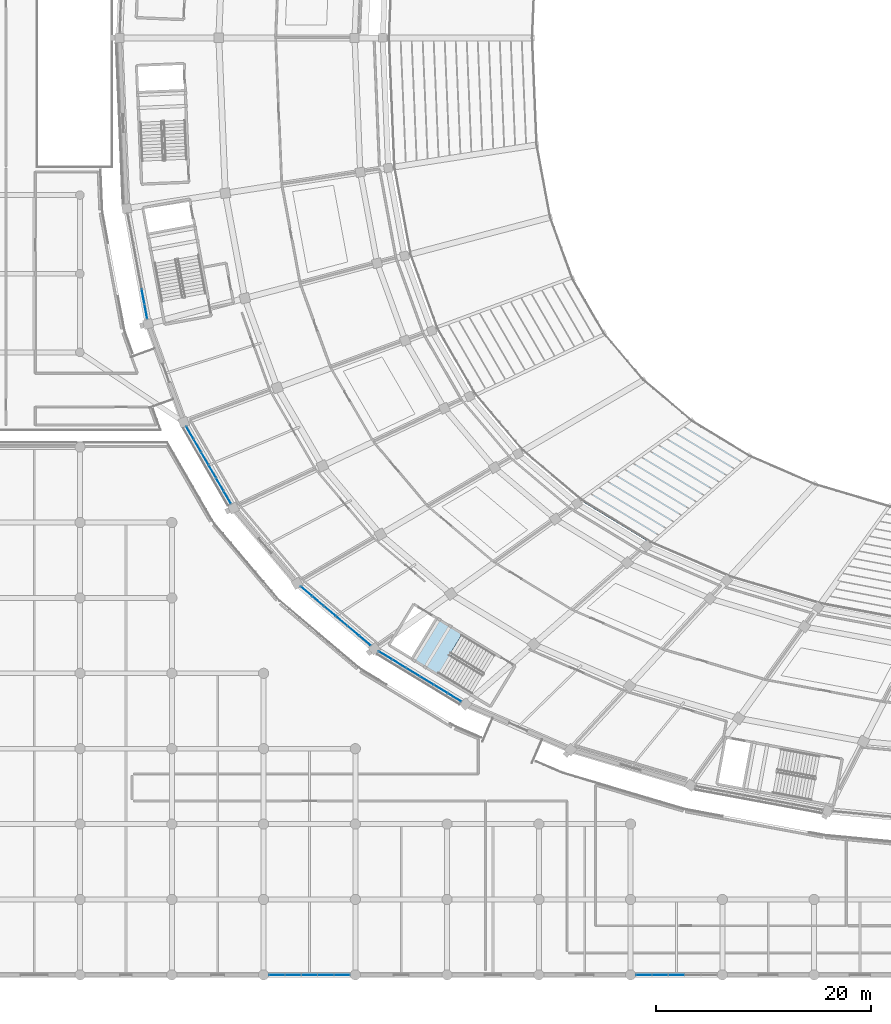
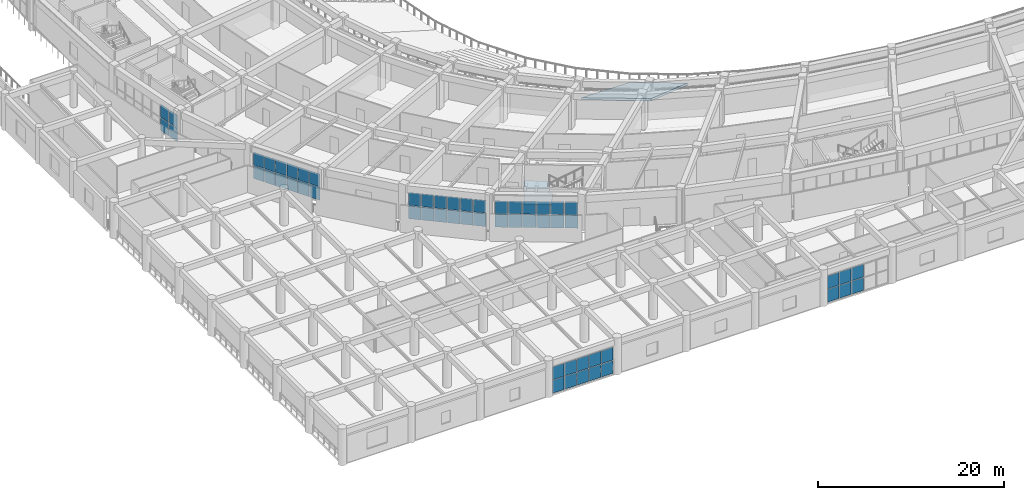
# One storey, part 77 of 152: 56 plates, 2 slabs, 7 elements without a shape of their own.
"""IFC4 building model written with IfcOpenShell, lengths in metres."""

from ifc_helpers import new_model, si_unit, direction, frame, origin, origin_2d, place, context, subcontext, project, spatial, polyline, rectangle, outline, extrude, material, layer, layer_set, type_object, element, aggregate, save


model = new_model("IFC4")

# Units and contexts
model_context = context("Model", 3, precision=1e-05, world=origin(), true_north=direction((0.0, 1.0)))
body_context = subcontext(model_context, "Body", "Model", "MODEL_VIEW")
ifc_project = project(units=[si_unit("LENGTHUNIT", "METRE"), si_unit("AREAUNIT", "SQUARE_METRE"), si_unit("VOLUMEUNIT", "CUBIC_METRE"), si_unit("PLANEANGLEUNIT", "RADIAN"), si_unit("MASSUNIT", "GRAM", prefix="KILO")], contexts=[model_context])

# Site, building, storey
site_placement = place(None, origin())
site = spatial("IfcSite", under=ifc_project, at=site_placement, CompositionType="ELEMENT")
building_placement = place(site_placement, origin())
building = spatial("IfcBuilding", under=site, at=building_placement, Name="Mphavela Belvedere Stadium", CompositionType="ELEMENT")
storey_placement = place(building_placement, frame((0.0, 0.0, 5.39990234375)))
storey = spatial("IfcBuildingStorey", under=building, at=storey_placement, Name="L01", CompositionType="ELEMENT", Elevation=5.39990234375)

# Curtain wall, plates
ifc_material_1 = material(Name="Anodised bronze unitised curtain wall framing")
ifc_layer_1 = layer(ifc_material_1, 0.195068359375)
ifc_layer_set_1 = layer_set([ifc_layer_1], Name="Anodised bronze unitised curtain wall framing")
curtain_wall_type_1 = type_object("IfcCurtainWallType", Name="CW-UNIT-04", PredefinedType="USERDEFINED", material=ifc_layer_set_1)
curtain_wall_1_placement = place(storey_placement, origin())
curtain_wall_1 = element("IfcCurtainWall", 1, at=curtain_wall_1_placement, inside=storey, type_object=curtain_wall_type_1, Name="Belvedere colonnade curtain wall L01-26", ObjectType="UNITISED CURTAIN WALL", PredefinedType="USERDEFINED")
ifc_material_2 = material(Name="Solar-control double glazing", Category="glass")
ifc_layer_2 = layer(ifc_material_2, 0.031982421875)
ifc_layer_set_2 = layer_set([ifc_layer_2], Name="Solar-control double glazing")
plate_type = type_object("IfcPlateType", Name="CWP-SOLAR-GLASS", PredefinedType="CURTAIN_PANEL", material=ifc_layer_set_2)
plate_1_placement = place(storey_placement, frame((14.36474609375, 62.9716796875, 0.06005859375), z_axis=(0.0, 0.0, 1.0), x_axis=(0.182619524814, -0.983183659932, 0.0)))
plate_1 = element("IfcPlate", 2, at=plate_1_placement, type_object=plate_type, Name="CW-04 panel 6.1", PredefinedType="CURTAIN_PANEL", context=body_context, shape_type="SweptSolid", body=[
    extrude(rectangle(XDim=1.371337890625, YDim=0.031982421875, at=origin_2d()), origin(), (0.0, 0.0, 1.0), 1.695068359375),
])
plate_2_placement = place(storey_placement, frame((14.36474609375, 62.9716796875, 1.81494140625), z_axis=(0.0, 0.0, 1.0), x_axis=(0.182619524814, -0.983183659932, 0.0)))
plate_2 = element("IfcPlate", 3, at=plate_2_placement, type_object=plate_type, Name="CW-04 panel 6.2", PredefinedType="CURTAIN_PANEL", context=body_context, shape_type="SweptSolid", body=[
    extrude(rectangle(XDim=1.371337890625, YDim=0.031982421875, at=origin_2d()), origin(), (0.0, 0.0, 1.0), 1.695068359375),
])
plate_3_placement = place(storey_placement, frame((14.6240234375, 61.575439453125, 0.06005859375), z_axis=(0.0, 0.0, 1.0), x_axis=(0.182619524814, -0.983183659932, 0.0)))
plate_3 = element("IfcPlate", 4, at=plate_3_placement, type_object=plate_type, Name="CW-04 panel 7.1", PredefinedType="CURTAIN_PANEL", context=body_context, shape_type="SweptSolid", body=[
    extrude(rectangle(XDim=1.3388671875, YDim=0.031982421875, at=origin_2d()), origin(), (0.0, 0.0, 1.0), 1.695068359375),
])
plate_4_placement = place(storey_placement, frame((14.6240234375, 61.575439453125, 1.81494140625), z_axis=(0.0, 0.0, 1.0), x_axis=(0.182619524814, -0.983183659932, 0.0)))
plate_4 = element("IfcPlate", 5, at=plate_4_placement, type_object=plate_type, Name="CW-04 panel 7.2", PredefinedType="CURTAIN_PANEL", context=body_context, shape_type="SweptSolid", body=[
    extrude(rectangle(XDim=1.3388671875, YDim=0.031982421875, at=origin_2d()), origin(), (0.0, 0.0, 1.0), 1.695068359375),
])
aggregate(curtain_wall_1, [plate_1, plate_2, plate_3, plate_4])

ifc_material_3 = material(Name="Anodised bronze unitised curtain wall framing")
ifc_layer_3 = layer(ifc_material_3, 0.199951171875)
ifc_layer_set_3 = layer_set([ifc_layer_3], Name="Anodised bronze unitised curtain wall framing")
curtain_wall_type_2 = type_object("IfcCurtainWallType", Name="CW-UNIT-05", PredefinedType="USERDEFINED", material=ifc_layer_set_3)
curtain_wall_2_placement = place(storey_placement, origin())
curtain_wall_2 = element("IfcCurtainWall", 6, at=curtain_wall_2_placement, inside=storey, type_object=curtain_wall_type_2, Name="Belvedere colonnade curtain wall L01-28", ObjectType="UNITISED CURTAIN WALL", PredefinedType="USERDEFINED")
plate_5_placement = place(storey_placement, frame((18.712890625, 50.33349609375, 0.06005859375), z_axis=(0.0, 0.0, 1.0), x_axis=(0.500560586125, -0.865701507229, 0.0)))
plate_5 = element("IfcPlate", 7, at=plate_5_placement, type_object=plate_type, Name="CW-05 panel 1.1", PredefinedType="CURTAIN_PANEL", context=body_context, shape_type="SweptSolid", body=[
    extrude(rectangle(XDim=1.297607421875, YDim=0.031982421875, at=origin_2d()), origin(), (0.0, 0.0, 1.0), 1.695068359375),
])
plate_6_placement = place(storey_placement, frame((18.712890625, 50.33349609375, 1.81494140625), z_axis=(0.0, 0.0, 1.0), x_axis=(0.500560586125, -0.865701507229, 0.0)))
plate_6 = element("IfcPlate", 8, at=plate_6_placement, type_object=plate_type, Name="CW-05 panel 1.2", PredefinedType="CURTAIN_PANEL", context=body_context, shape_type="SweptSolid", body=[
    extrude(rectangle(XDim=1.297607421875, YDim=0.031982421875, at=origin_2d()), origin(), (0.0, 0.0, 1.0), 1.695068359375),
])
plate_7_placement = place(storey_placement, frame((19.403076171875, 49.139892578125, 0.06005859375), z_axis=(0.0, 0.0, 1.0), x_axis=(0.500560586125, -0.865701507229, 0.0)))
plate_7 = element("IfcPlate", 9, at=plate_7_placement, type_object=plate_type, Name="CW-05 panel 2.1", PredefinedType="CURTAIN_PANEL", context=body_context, shape_type="SweptSolid", body=[
    extrude(rectangle(XDim=1.330078125, YDim=0.031982421875, at=origin_2d()), origin(), (0.0, 0.0, 1.0), 1.695068359375),
])
plate_8_placement = place(storey_placement, frame((19.403076171875, 49.139892578125, 1.81494140625), z_axis=(0.0, 0.0, 1.0), x_axis=(0.500560586125, -0.865701507229, 0.0)))
plate_8 = element("IfcPlate", 10, at=plate_8_placement, type_object=plate_type, Name="CW-05 panel 2.2", PredefinedType="CURTAIN_PANEL", context=body_context, shape_type="SweptSolid", body=[
    extrude(rectangle(XDim=1.330078125, YDim=0.031982421875, at=origin_2d()), origin(), (0.0, 0.0, 1.0), 1.695068359375),
])
plate_9_placement = place(storey_placement, frame((20.1015625, 47.931884765625, 0.06005859375), z_axis=(0.0, 0.0, 1.0), x_axis=(0.500560586125, -0.865701507229, 0.0)))
plate_9 = element("IfcPlate", 11, at=plate_9_placement, type_object=plate_type, Name="CW-05 panel 3.1", PredefinedType="CURTAIN_PANEL", context=body_context, shape_type="SweptSolid", body=[
    extrude(rectangle(XDim=1.330078125, YDim=0.031982421875, at=origin_2d()), origin(), (0.0, 0.0, 1.0), 1.695068359375),
])
plate_10_placement = place(storey_placement, frame((20.1015625, 47.931884765625, 1.81494140625), z_axis=(0.0, 0.0, 1.0), x_axis=(0.500560586125, -0.865701507229, 0.0)))
plate_10 = element("IfcPlate", 12, at=plate_10_placement, type_object=plate_type, Name="CW-05 panel 3.2", PredefinedType="CURTAIN_PANEL", context=body_context, shape_type="SweptSolid", body=[
    extrude(rectangle(XDim=1.330078125, YDim=0.031982421875, at=origin_2d()), origin(), (0.0, 0.0, 1.0), 1.695068359375),
])
plate_11_placement = place(storey_placement, frame((20.7998046875, 46.72412109375, 0.06005859375), z_axis=(0.0, 0.0, 1.0), x_axis=(0.500560586125, -0.865701507229, 0.0)))
plate_11 = element("IfcPlate", 13, at=plate_11_placement, type_object=plate_type, Name="CW-05 panel 4.1", PredefinedType="CURTAIN_PANEL", context=body_context, shape_type="SweptSolid", body=[
    extrude(rectangle(XDim=1.330078125, YDim=0.031982421875, at=origin_2d()), origin(), (0.0, 0.0, 1.0), 1.695068359375),
])
plate_12_placement = place(storey_placement, frame((20.7998046875, 46.72412109375, 1.81494140625), z_axis=(0.0, 0.0, 1.0), x_axis=(0.500560586125, -0.865701507229, 0.0)))
plate_12 = element("IfcPlate", 14, at=plate_12_placement, type_object=plate_type, Name="CW-05 panel 4.2", PredefinedType="CURTAIN_PANEL", context=body_context, shape_type="SweptSolid", body=[
    extrude(rectangle(XDim=1.330078125, YDim=0.031982421875, at=origin_2d()), origin(), (0.0, 0.0, 1.0), 1.695068359375),
])
plate_13_placement = place(storey_placement, frame((21.498291015625, 45.516357421875, 0.06005859375), z_axis=(0.0, 0.0, 1.0), x_axis=(0.500560586125, -0.865701507229, 0.0)))
plate_13 = element("IfcPlate", 15, at=plate_13_placement, type_object=plate_type, Name="CW-05 panel 5.1", PredefinedType="CURTAIN_PANEL", context=body_context, shape_type="SweptSolid", body=[
    extrude(rectangle(XDim=1.330078125, YDim=0.031982421875, at=origin_2d()), origin(), (0.0, 0.0, 1.0), 1.695068359375),
])
plate_14_placement = place(storey_placement, frame((21.498291015625, 45.516357421875, 1.81494140625), z_axis=(0.0, 0.0, 1.0), x_axis=(0.500560586125, -0.865701507229, 0.0)))
plate_14 = element("IfcPlate", 16, at=plate_14_placement, type_object=plate_type, Name="CW-05 panel 5.2", PredefinedType="CURTAIN_PANEL", context=body_context, shape_type="SweptSolid", body=[
    extrude(rectangle(XDim=1.330078125, YDim=0.031982421875, at=origin_2d()), origin(), (0.0, 0.0, 1.0), 1.695068359375),
])
plate_15_placement = place(storey_placement, frame((22.1884765625, 44.32275390625, 0.06005859375), z_axis=(0.0, 0.0, 1.0), x_axis=(0.500560586125, -0.865701507229, 0.0)))
plate_15 = element("IfcPlate", 17, at=plate_15_placement, type_object=plate_type, Name="CW-05 panel 6.1", PredefinedType="CURTAIN_PANEL", context=body_context, shape_type="SweptSolid", body=[
    extrude(rectangle(XDim=1.297607421875, YDim=0.031982421875, at=origin_2d()), origin(), (0.0, 0.0, 1.0), 1.695068359375),
])
plate_16_placement = place(storey_placement, frame((22.1884765625, 44.32275390625, 1.81494140625), z_axis=(0.0, 0.0, 1.0), x_axis=(0.500560586125, -0.865701507229, 0.0)))
plate_16 = element("IfcPlate", 18, at=plate_16_placement, type_object=plate_type, Name="CW-05 panel 6.2", PredefinedType="CURTAIN_PANEL", context=body_context, shape_type="SweptSolid", body=[
    extrude(rectangle(XDim=1.297607421875, YDim=0.031982421875, at=origin_2d()), origin(), (0.0, 0.0, 1.0), 1.695068359375),
])
aggregate(curtain_wall_2, [plate_5, plate_6, plate_7, plate_8, plate_9, plate_10, plate_11, plate_12, plate_13, plate_14, plate_15, plate_16])

ifc_material_4 = material(Name="Anodised bronze unitised curtain wall framing")
ifc_layer_4 = layer(ifc_material_4, 0.205078125)
ifc_layer_set_4 = layer_set([ifc_layer_4], Name="Anodised bronze unitised curtain wall framing")
curtain_wall_type_3 = type_object("IfcCurtainWallType", Name="CW-UNIT-06", PredefinedType="USERDEFINED", material=ifc_layer_set_4)
curtain_wall_3_placement = place(storey_placement, origin())
curtain_wall_3 = element("IfcCurtainWall", 19, at=curtain_wall_3_placement, inside=storey, type_object=curtain_wall_type_3, Name="Belvedere colonnade curtain wall L01-30", ObjectType="UNITISED CURTAIN WALL", PredefinedType="USERDEFINED")
plate_17_placement = place(storey_placement, frame((29.5419921875, 35.603515625, 0.06005859375), z_axis=(0.0, 0.0, 1.0), x_axis=(0.76425888519, -0.644909572272, 0.0)))
plate_17 = element("IfcPlate", 20, at=plate_17_placement, type_object=plate_type, Name="CW-06 panel 1.1", PredefinedType="CURTAIN_PANEL", context=body_context, shape_type="SweptSolid", body=[
    extrude(rectangle(XDim=1.327880859375, YDim=0.031982421875, at=origin_2d()), origin(), (0.0, 0.0, 1.0), 1.695068359375),
])
plate_18_placement = place(storey_placement, frame((29.5419921875, 35.603515625, 1.81494140625), z_axis=(0.0, 0.0, 1.0), x_axis=(0.76425888519, -0.644909572272, 0.0)))
plate_18 = element("IfcPlate", 21, at=plate_18_placement, type_object=plate_type, Name="CW-06 panel 1.2", PredefinedType="CURTAIN_PANEL", context=body_context, shape_type="SweptSolid", body=[
    extrude(rectangle(XDim=1.327880859375, YDim=0.031982421875, at=origin_2d()), origin(), (0.0, 0.0, 1.0), 1.695068359375),
])
plate_19_placement = place(storey_placement, frame((30.619140625, 34.69482421875, 0.06005859375), z_axis=(0.0, 0.0, 1.0), x_axis=(0.76425888519, -0.644909572272, 0.0)))
plate_19 = element("IfcPlate", 22, at=plate_19_placement, type_object=plate_type, Name="CW-06 panel 2.1", PredefinedType="CURTAIN_PANEL", context=body_context, shape_type="SweptSolid", body=[
    extrude(rectangle(XDim=1.3603515625, YDim=0.031982421875, at=origin_2d()), origin(), (0.0, 0.0, 1.0), 1.695068359375),
])
plate_20_placement = place(storey_placement, frame((30.619140625, 34.69482421875, 1.81494140625), z_axis=(0.0, 0.0, 1.0), x_axis=(0.76425888519, -0.644909572272, 0.0)))
plate_20 = element("IfcPlate", 23, at=plate_20_placement, type_object=plate_type, Name="CW-06 panel 2.2", PredefinedType="CURTAIN_PANEL", context=body_context, shape_type="SweptSolid", body=[
    extrude(rectangle(XDim=1.3603515625, YDim=0.031982421875, at=origin_2d()), origin(), (0.0, 0.0, 1.0), 1.695068359375),
])
plate_21_placement = place(storey_placement, frame((31.70849609375, 33.775634765625, 0.06005859375), z_axis=(0.0, 0.0, 1.0), x_axis=(0.76425888519, -0.644909572272, 0.0)))
plate_21 = element("IfcPlate", 24, at=plate_21_placement, type_object=plate_type, Name="CW-06 panel 3.1", PredefinedType="CURTAIN_PANEL", context=body_context, shape_type="SweptSolid", body=[
    extrude(rectangle(XDim=1.3603515625, YDim=0.031982421875, at=origin_2d()), origin(), (0.0, 0.0, 1.0), 1.695068359375),
])
plate_22_placement = place(storey_placement, frame((31.70849609375, 33.775634765625, 1.81494140625), z_axis=(0.0, 0.0, 1.0), x_axis=(0.76425888519, -0.644909572272, 0.0)))
plate_22 = element("IfcPlate", 25, at=plate_22_placement, type_object=plate_type, Name="CW-06 panel 3.2", PredefinedType="CURTAIN_PANEL", context=body_context, shape_type="SweptSolid", body=[
    extrude(rectangle(XDim=1.3603515625, YDim=0.031982421875, at=origin_2d()), origin(), (0.0, 0.0, 1.0), 1.695068359375),
])
plate_23_placement = place(storey_placement, frame((32.797607421875, 32.8564453125, 0.06005859375), z_axis=(0.0, 0.0, 1.0), x_axis=(0.76425888519, -0.644909572272, 0.0)))
plate_23 = element("IfcPlate", 26, at=plate_23_placement, type_object=plate_type, Name="CW-06 panel 4.1", PredefinedType="CURTAIN_PANEL", context=body_context, shape_type="SweptSolid", body=[
    extrude(rectangle(XDim=1.3603515625, YDim=0.031982421875, at=origin_2d()), origin(), (0.0, 0.0, 1.0), 1.695068359375),
])
plate_24_placement = place(storey_placement, frame((32.797607421875, 32.8564453125, 1.81494140625), z_axis=(0.0, 0.0, 1.0), x_axis=(0.76425888519, -0.644909572272, 0.0)))
plate_24 = element("IfcPlate", 27, at=plate_24_placement, type_object=plate_type, Name="CW-06 panel 4.2", PredefinedType="CURTAIN_PANEL", context=body_context, shape_type="SweptSolid", body=[
    extrude(rectangle(XDim=1.3603515625, YDim=0.031982421875, at=origin_2d()), origin(), (0.0, 0.0, 1.0), 1.695068359375),
])
plate_25_placement = place(storey_placement, frame((33.886962890625, 31.937255859375, 0.06005859375), z_axis=(0.0, 0.0, 1.0), x_axis=(0.76425888519, -0.644909572272, 0.0)))
plate_25 = element("IfcPlate", 28, at=plate_25_placement, type_object=plate_type, Name="CW-06 panel 5.1", PredefinedType="CURTAIN_PANEL", context=body_context, shape_type="SweptSolid", body=[
    extrude(rectangle(XDim=1.3603515625, YDim=0.031982421875, at=origin_2d()), origin(), (0.0, 0.0, 1.0), 1.695068359375),
])
plate_26_placement = place(storey_placement, frame((33.886962890625, 31.937255859375, 1.81494140625), z_axis=(0.0, 0.0, 1.0), x_axis=(0.76425888519, -0.644909572272, 0.0)))
plate_26 = element("IfcPlate", 29, at=plate_26_placement, type_object=plate_type, Name="CW-06 panel 5.2", PredefinedType="CURTAIN_PANEL", context=body_context, shape_type="SweptSolid", body=[
    extrude(rectangle(XDim=1.3603515625, YDim=0.031982421875, at=origin_2d()), origin(), (0.0, 0.0, 1.0), 1.695068359375),
])
plate_27_placement = place(storey_placement, frame((34.964111328125, 31.0283203125, 0.06005859375), z_axis=(0.0, 0.0, 1.0), x_axis=(0.76425888519, -0.644909572272, 0.0)))
plate_27 = element("IfcPlate", 30, at=plate_27_placement, type_object=plate_type, Name="CW-06 panel 6.1", PredefinedType="CURTAIN_PANEL", context=body_context, shape_type="SweptSolid", body=[
    extrude(rectangle(XDim=1.327880859375, YDim=0.031982421875, at=origin_2d()), origin(), (0.0, 0.0, 1.0), 1.695068359375),
])
plate_28_placement = place(storey_placement, frame((34.964111328125, 31.0283203125, 1.81494140625), z_axis=(0.0, 0.0, 1.0), x_axis=(0.76425888519, -0.644909572272, 0.0)))
plate_28 = element("IfcPlate", 31, at=plate_28_placement, type_object=plate_type, Name="CW-06 panel 6.2", PredefinedType="CURTAIN_PANEL", context=body_context, shape_type="SweptSolid", body=[
    extrude(rectangle(XDim=1.327880859375, YDim=0.031982421875, at=origin_2d()), origin(), (0.0, 0.0, 1.0), 1.695068359375),
])
aggregate(curtain_wall_3, [plate_17, plate_18, plate_19, plate_20, plate_21, plate_22, plate_23, plate_24, plate_25, plate_26, plate_27, plate_28])

ifc_material_5 = material(Name="Anodised bronze unitised curtain wall framing")
ifc_layer_5 = layer(ifc_material_5, 0.179931640625)
ifc_layer_set_5 = layer_set([ifc_layer_5], Name="Anodised bronze unitised curtain wall framing")
curtain_wall_type_4 = type_object("IfcCurtainWallType", Name="CW-UNIT-01", PredefinedType="USERDEFINED", material=ifc_layer_set_5)
curtain_wall_4_placement = place(storey_placement, origin())
curtain_wall_4 = element("IfcCurtainWall", 32, at=curtain_wall_4_placement, inside=storey, type_object=curtain_wall_type_4, Name="Belvedere colonnade curtain wall L01-31", ObjectType="UNITISED CURTAIN WALL", PredefinedType="USERDEFINED")
plate_29_placement = place(storey_placement, frame((36.864501953125, 29.6650390625, 0.06005859375), z_axis=(0.0, 0.0, 1.0), x_axis=(0.8543277514, -0.51973463728, 0.0)))
plate_29 = element("IfcPlate", 33, at=plate_29_placement, type_object=plate_type, Name="CW-01 panel 1.1", PredefinedType="CURTAIN_PANEL", context=body_context, shape_type="SweptSolid", body=[
    extrude(rectangle(XDim=1.411865234375, YDim=0.031982421875, at=origin_2d()), origin(), (0.0, 0.0, 1.0), 1.695068359375),
])
plate_30_placement = place(storey_placement, frame((36.864501953125, 29.6650390625, 1.81494140625), z_axis=(0.0, 0.0, 1.0), x_axis=(0.8543277514, -0.51973463728, 0.0)))
plate_30 = element("IfcPlate", 34, at=plate_30_placement, type_object=plate_type, Name="CW-01 panel 1.2", PredefinedType="CURTAIN_PANEL", context=body_context, shape_type="SweptSolid", body=[
    extrude(rectangle(XDim=1.411865234375, YDim=0.031982421875, at=origin_2d()), origin(), (0.0, 0.0, 1.0), 1.695068359375),
])
plate_31_placement = place(storey_placement, frame((38.139892578125, 28.888916015625, 0.06005859375), z_axis=(0.0, 0.0, 1.0), x_axis=(0.8543277514, -0.51973463728, 0.0)))
plate_31 = element("IfcPlate", 35, at=plate_31_placement, type_object=plate_type, Name="CW-01 panel 2.1", PredefinedType="CURTAIN_PANEL", context=body_context, shape_type="SweptSolid", body=[
    extrude(rectangle(XDim=1.4443359375, YDim=0.031982421875, at=origin_2d()), origin(), (0.0, 0.0, 1.0), 1.695068359375),
])
plate_32_placement = place(storey_placement, frame((38.139892578125, 28.888916015625, 1.81494140625), z_axis=(0.0, 0.0, 1.0), x_axis=(0.8543277514, -0.51973463728, 0.0)))
plate_32 = element("IfcPlate", 36, at=plate_32_placement, type_object=plate_type, Name="CW-01 panel 2.2", PredefinedType="CURTAIN_PANEL", context=body_context, shape_type="SweptSolid", body=[
    extrude(rectangle(XDim=1.4443359375, YDim=0.031982421875, at=origin_2d()), origin(), (0.0, 0.0, 1.0), 1.695068359375),
])
plate_33_placement = place(storey_placement, frame((39.429443359375, 28.1044921875, 0.06005859375), z_axis=(0.0, 0.0, 1.0), x_axis=(0.8543277514, -0.51973463728, 0.0)))
plate_33 = element("IfcPlate", 37, at=plate_33_placement, type_object=plate_type, Name="CW-01 panel 3.1", PredefinedType="CURTAIN_PANEL", context=body_context, shape_type="SweptSolid", body=[
    extrude(rectangle(XDim=1.4443359375, YDim=0.031982421875, at=origin_2d()), origin(), (0.0, 0.0, 1.0), 1.695068359375),
])
plate_34_placement = place(storey_placement, frame((39.429443359375, 28.1044921875, 1.81494140625), z_axis=(0.0, 0.0, 1.0), x_axis=(0.8543277514, -0.51973463728, 0.0)))
plate_34 = element("IfcPlate", 38, at=plate_34_placement, type_object=plate_type, Name="CW-01 panel 3.2", PredefinedType="CURTAIN_PANEL", context=body_context, shape_type="SweptSolid", body=[
    extrude(rectangle(XDim=1.4443359375, YDim=0.031982421875, at=origin_2d()), origin(), (0.0, 0.0, 1.0), 1.695068359375),
])
plate_35_placement = place(storey_placement, frame((40.71875, 27.320068359375, 0.06005859375), z_axis=(0.0, 0.0, 1.0), x_axis=(0.8543277514, -0.51973463728, 0.0)))
plate_35 = element("IfcPlate", 39, at=plate_35_placement, type_object=plate_type, Name="CW-01 panel 4.1", PredefinedType="CURTAIN_PANEL", context=body_context, shape_type="SweptSolid", body=[
    extrude(rectangle(XDim=1.4443359375, YDim=0.031982421875, at=origin_2d()), origin(), (0.0, 0.0, 1.0), 1.695068359375),
])
plate_36_placement = place(storey_placement, frame((40.71875, 27.320068359375, 1.81494140625), z_axis=(0.0, 0.0, 1.0), x_axis=(0.8543277514, -0.51973463728, 0.0)))
plate_36 = element("IfcPlate", 40, at=plate_36_placement, type_object=plate_type, Name="CW-01 panel 4.2", PredefinedType="CURTAIN_PANEL", context=body_context, shape_type="SweptSolid", body=[
    extrude(rectangle(XDim=1.4443359375, YDim=0.031982421875, at=origin_2d()), origin(), (0.0, 0.0, 1.0), 1.695068359375),
])
plate_37_placement = place(storey_placement, frame((42.00830078125, 26.53564453125, 0.06005859375), z_axis=(0.0, 0.0, 1.0), x_axis=(0.8543277514, -0.51973463728, 0.0)))
plate_37 = element("IfcPlate", 41, at=plate_37_placement, type_object=plate_type, Name="CW-01 panel 5.1", PredefinedType="CURTAIN_PANEL", context=body_context, shape_type="SweptSolid", body=[
    extrude(rectangle(XDim=1.4443359375, YDim=0.031982421875, at=origin_2d()), origin(), (0.0, 0.0, 1.0), 1.695068359375),
])
plate_38_placement = place(storey_placement, frame((42.00830078125, 26.53564453125, 1.81494140625), z_axis=(0.0, 0.0, 1.0), x_axis=(0.8543277514, -0.51973463728, 0.0)))
plate_38 = element("IfcPlate", 42, at=plate_38_placement, type_object=plate_type, Name="CW-01 panel 5.2", PredefinedType="CURTAIN_PANEL", context=body_context, shape_type="SweptSolid", body=[
    extrude(rectangle(XDim=1.4443359375, YDim=0.031982421875, at=origin_2d()), origin(), (0.0, 0.0, 1.0), 1.695068359375),
])
plate_39_placement = place(storey_placement, frame((43.28369140625, 25.759765625, 0.06005859375), z_axis=(0.0, 0.0, 1.0), x_axis=(0.8543277514, -0.51973463728, 0.0)))
plate_39 = element("IfcPlate", 43, at=plate_39_placement, type_object=plate_type, Name="CW-01 panel 6.1", PredefinedType="CURTAIN_PANEL", context=body_context, shape_type="SweptSolid", body=[
    extrude(rectangle(XDim=1.411865234375, YDim=0.031982421875, at=origin_2d()), origin(), (0.0, 0.0, 1.0), 1.695068359375),
])
plate_40_placement = place(storey_placement, frame((43.28369140625, 25.759765625, 1.81494140625), z_axis=(0.0, 0.0, 1.0), x_axis=(0.8543277514, -0.51973463728, 0.0)))
plate_40 = element("IfcPlate", 44, at=plate_40_placement, type_object=plate_type, Name="CW-01 panel 6.2", PredefinedType="CURTAIN_PANEL", context=body_context, shape_type="SweptSolid", body=[
    extrude(rectangle(XDim=1.411865234375, YDim=0.031982421875, at=origin_2d()), origin(), (0.0, 0.0, 1.0), 1.695068359375),
])
aggregate(curtain_wall_4, [plate_29, plate_30, plate_31, plate_32, plate_33, plate_34, plate_35, plate_36, plate_37, plate_38, plate_39, plate_40])

ifc_material_6 = material(Name="Anodised bronze unitised curtain wall framing")
ifc_layer_6 = layer(ifc_material_6, 0.18994140625)
ifc_layer_set_6 = layer_set([ifc_layer_6], Name="Anodised bronze unitised curtain wall framing")
curtain_wall_type_5 = type_object("IfcCurtainWallType", Name="CW-UNIT-03", PredefinedType="USERDEFINED", material=ifc_layer_set_6)
curtain_wall_5_placement = place(storey_placement, origin())
curtain_wall_5 = element("IfcCurtainWall", 45, at=curtain_wall_5_placement, inside=storey, type_object=curtain_wall_type_5, Name="South Axial Triumphal Peristyle Portico gallery curtain wall L01-04", ObjectType="UNITISED CURTAIN WALL", PredefinedType="USERDEFINED")
plate_41_placement = place(storey_placement, frame((32.82763671875, 0.0, 0.06005859375), z_axis=(0.0, 0.0, 1.0), x_axis=(-1.0, 0.0, 0.0)))
plate_41 = element("IfcPlate", 46, at=plate_41_placement, type_object=plate_type, Name="CW-03 panel 1.1", PredefinedType="CURTAIN_PANEL", context=body_context, shape_type="SweptSolid", body=[
    extrude(rectangle(XDim=1.4169921875, YDim=0.031982421875, at=origin_2d()), origin(), (0.0, 0.0, 1.0), 1.68994140625),
])
plate_42_placement = place(storey_placement, frame((32.82763671875, 0.0, 1.81005859375), z_axis=(0.0, 0.0, 1.0), x_axis=(-1.0, 0.0, 0.0)))
plate_42 = element("IfcPlate", 47, at=plate_42_placement, type_object=plate_type, Name="CW-03 panel 1.2", PredefinedType="CURTAIN_PANEL", context=body_context, shape_type="SweptSolid", body=[
    extrude(rectangle(XDim=1.4169921875, YDim=0.031982421875, at=origin_2d()), origin(), (0.0, 0.0, 1.0), 1.68994140625),
])
plate_43_placement = place(storey_placement, frame((31.329345703125, 0.0, 0.06005859375), z_axis=(0.0, 0.0, 1.0), x_axis=(-1.0, 0.0, 0.0)))
plate_43 = element("IfcPlate", 48, at=plate_43_placement, type_object=plate_type, Name="CW-03 panel 2.1", PredefinedType="CURTAIN_PANEL", context=body_context, shape_type="SweptSolid", body=[
    extrude(rectangle(XDim=1.449462890625, YDim=0.031982421875, at=origin_2d()), origin(), (0.0, 0.0, 1.0), 1.68994140625),
])
plate_44_placement = place(storey_placement, frame((31.329345703125, 0.0, 1.81005859375), z_axis=(0.0, 0.0, 1.0), x_axis=(-1.0, 0.0, 0.0)))
plate_44 = element("IfcPlate", 49, at=plate_44_placement, type_object=plate_type, Name="CW-03 panel 2.2", PredefinedType="CURTAIN_PANEL", context=body_context, shape_type="SweptSolid", body=[
    extrude(rectangle(XDim=1.449462890625, YDim=0.031982421875, at=origin_2d()), origin(), (0.0, 0.0, 1.0), 1.68994140625),
])
plate_45_placement = place(storey_placement, frame((29.81494140625, 0.0, 0.06005859375), z_axis=(0.0, 0.0, 1.0), x_axis=(-1.0, 0.0, 0.0)))
plate_45 = element("IfcPlate", 50, at=plate_45_placement, type_object=plate_type, Name="CW-03 panel 3.1", PredefinedType="CURTAIN_PANEL", context=body_context, shape_type="SweptSolid", body=[
    extrude(rectangle(XDim=1.449462890625, YDim=0.031982421875, at=origin_2d()), origin(), (0.0, 0.0, 1.0), 1.68994140625),
])
plate_46_placement = place(storey_placement, frame((29.81494140625, 0.0, 1.81005859375), z_axis=(0.0, 0.0, 1.0), x_axis=(-1.0, 0.0, 0.0)))
plate_46 = element("IfcPlate", 51, at=plate_46_placement, type_object=plate_type, Name="CW-03 panel 3.2", PredefinedType="CURTAIN_PANEL", context=body_context, shape_type="SweptSolid", body=[
    extrude(rectangle(XDim=1.449462890625, YDim=0.031982421875, at=origin_2d()), origin(), (0.0, 0.0, 1.0), 1.68994140625),
])
plate_47_placement = place(storey_placement, frame((28.300537109375, 0.0, 0.06005859375), z_axis=(0.0, 0.0, 1.0), x_axis=(-1.0, 0.0, 0.0)))
plate_47 = element("IfcPlate", 52, at=plate_47_placement, type_object=plate_type, Name="CW-03 panel 4.1", PredefinedType="CURTAIN_PANEL", context=body_context, shape_type="SweptSolid", body=[
    extrude(rectangle(XDim=1.449462890625, YDim=0.031982421875, at=origin_2d()), origin(), (0.0, 0.0, 1.0), 1.68994140625),
])
plate_48_placement = place(storey_placement, frame((28.300537109375, 0.0, 1.81005859375), z_axis=(0.0, 0.0, 1.0), x_axis=(-1.0, 0.0, 0.0)))
plate_48 = element("IfcPlate", 53, at=plate_48_placement, type_object=plate_type, Name="CW-03 panel 4.2", PredefinedType="CURTAIN_PANEL", context=body_context, shape_type="SweptSolid", body=[
    extrude(rectangle(XDim=1.449462890625, YDim=0.031982421875, at=origin_2d()), origin(), (0.0, 0.0, 1.0), 1.68994140625),
])
plate_49_placement = place(storey_placement, frame((26.802490234375, 0.0, 0.06005859375), z_axis=(0.0, 0.0, 1.0), x_axis=(-1.0, 0.0, 0.0)))
plate_49 = element("IfcPlate", 54, at=plate_49_placement, type_object=plate_type, Name="CW-03 panel 5.1", PredefinedType="CURTAIN_PANEL", context=body_context, shape_type="SweptSolid", body=[
    extrude(rectangle(XDim=1.4169921875, YDim=0.031982421875, at=origin_2d()), origin(), (0.0, 0.0, 1.0), 1.68994140625),
])
plate_50_placement = place(storey_placement, frame((26.802490234375, 0.0, 1.81005859375), z_axis=(0.0, 0.0, 1.0), x_axis=(-1.0, 0.0, 0.0)))
plate_50 = element("IfcPlate", 55, at=plate_50_placement, type_object=plate_type, Name="CW-03 panel 5.2", PredefinedType="CURTAIN_PANEL", context=body_context, shape_type="SweptSolid", body=[
    extrude(rectangle(XDim=1.4169921875, YDim=0.031982421875, at=origin_2d()), origin(), (0.0, 0.0, 1.0), 1.68994140625),
])
aggregate(curtain_wall_5, [plate_41, plate_42, plate_43, plate_44, plate_45, plate_46, plate_47, plate_48, plate_49, plate_50])

curtain_wall_6_placement = place(storey_placement, origin())
curtain_wall_6 = element("IfcCurtainWall", 56, at=curtain_wall_6_placement, inside=storey, type_object=curtain_wall_type_1, Name="South Axial Triumphal Peristyle Portico gallery curtain wall L01-08", ObjectType="UNITISED CURTAIN WALL", PredefinedType="USERDEFINED")
plate_51_placement = place(storey_placement, frame((63.888916015625, 0.0, 0.06005859375), z_axis=(0.0, 0.0, 1.0), x_axis=(-1.0, 0.0, 0.0)))
plate_51 = element("IfcPlate", 57, at=plate_51_placement, type_object=plate_type, Name="CW-04 panel 3.1", PredefinedType="CURTAIN_PANEL", context=body_context, shape_type="SweptSolid", body=[
    extrude(rectangle(XDim=1.449462890625, YDim=0.031982421875, at=origin_2d()), origin(), (0.0, 0.0, 1.0), 1.68994140625),
])
plate_52_placement = place(storey_placement, frame((63.888916015625, 0.0, 1.81005859375), z_axis=(0.0, 0.0, 1.0), x_axis=(-1.0, 0.0, 0.0)))
plate_52 = element("IfcPlate", 58, at=plate_52_placement, type_object=plate_type, Name="CW-04 panel 3.2", PredefinedType="CURTAIN_PANEL", context=body_context, shape_type="SweptSolid", body=[
    extrude(rectangle(XDim=1.449462890625, YDim=0.031982421875, at=origin_2d()), origin(), (0.0, 0.0, 1.0), 1.68994140625),
])
plate_53_placement = place(storey_placement, frame((62.37451171875, 0.0, 0.06005859375), z_axis=(0.0, 0.0, 1.0), x_axis=(-1.0, 0.0, 0.0)))
plate_53 = element("IfcPlate", 59, at=plate_53_placement, type_object=plate_type, Name="CW-04 panel 4.1", PredefinedType="CURTAIN_PANEL", context=body_context, shape_type="SweptSolid", body=[
    extrude(rectangle(XDim=1.449462890625, YDim=0.031982421875, at=origin_2d()), origin(), (0.0, 0.0, 1.0), 1.68994140625),
])
plate_54_placement = place(storey_placement, frame((62.37451171875, 0.0, 1.81005859375), z_axis=(0.0, 0.0, 1.0), x_axis=(-1.0, 0.0, 0.0)))
plate_54 = element("IfcPlate", 60, at=plate_54_placement, type_object=plate_type, Name="CW-04 panel 4.2", PredefinedType="CURTAIN_PANEL", context=body_context, shape_type="SweptSolid", body=[
    extrude(rectangle(XDim=1.449462890625, YDim=0.031982421875, at=origin_2d()), origin(), (0.0, 0.0, 1.0), 1.68994140625),
])
plate_55_placement = place(storey_placement, frame((60.87646484375, 0.0, 0.06005859375), z_axis=(0.0, 0.0, 1.0), x_axis=(-1.0, 0.0, 0.0)))
plate_55 = element("IfcPlate", 61, at=plate_55_placement, type_object=plate_type, Name="CW-04 panel 5.1", PredefinedType="CURTAIN_PANEL", context=body_context, shape_type="SweptSolid", body=[
    extrude(rectangle(XDim=1.4169921875, YDim=0.031982421875, at=origin_2d()), origin(), (0.0, 0.0, 1.0), 1.68994140625),
])
plate_56_placement = place(storey_placement, frame((60.87646484375, 0.0, 1.81005859375), z_axis=(0.0, 0.0, 1.0), x_axis=(-1.0, 0.0, 0.0)))
plate_56 = element("IfcPlate", 62, at=plate_56_placement, type_object=plate_type, Name="CW-04 panel 5.2", PredefinedType="CURTAIN_PANEL", context=body_context, shape_type="SweptSolid", body=[
    extrude(rectangle(XDim=1.4169921875, YDim=0.031982421875, at=origin_2d()), origin(), (0.0, 0.0, 1.0), 1.68994140625),
])
aggregate(curtain_wall_6, [plate_51, plate_52, plate_53, plate_54, plate_55, plate_56])

# Stair, slab
ifc_material_7 = material(Name="Concrete C40/50", Category="concrete")
stair_type = type_object("IfcStairType", Name="STR-HALF-TURN-1", PredefinedType="HALF_TURN_STAIR", material=ifc_material_7)
stair_placement = place(storey_placement, origin())
stair = element("IfcStair", 63, at=stair_placement, inside=storey, type_object=stair_type, Name="L01 Escape stair core C10", PredefinedType="HALF_TURN_STAIR")
ifc_material_8 = material(Name="Concrete C40/50", Category="concrete")
ifc_layer_7 = layer(ifc_material_8, 0.199951171875)
ifc_layer_set_7 = layer_set([ifc_layer_7], Name="Concrete C40/50")
slab_type_1 = type_object("IfcSlabType", Name="SLB-LANDING-200", PredefinedType="LANDING", material=ifc_layer_set_7)
slab_1_placement = place(storey_placement, frame((0.0, 0.0, 2.2001953125)))
slab_1 = element("IfcSlab", 64, at=slab_1_placement, type_object=slab_type_1, Name="ST-C10 landing 1", PredefinedType="LANDING", context=body_context, shape_type="SweptSolid", body=[
    extrude(outline(polyline([(44.005859375, 31.672607421875), (41.71533203125, 33.06591796875), (39.4130859375, 29.281005859375), (42.007080078125, 27.703369140625), (43.158203125, 29.595703125), (42.854736328125, 29.7802734375), (44.005859375, 31.672607421875)])), origin(), (0.0, 0.0, 1.0), 0.199951171875),
])
aggregate(stair, [slab_1])

# Slab
ifc_material_9 = material(Name="Precast concrete C45/55", Category="concrete")
ifc_layer_8 = layer(ifc_material_9, 0.25)
ifc_layer_set_8 = layer_set([ifc_layer_8], Name="Precast concrete C45/55")
slab_type_2 = type_object("IfcSlabType", Name="SLB-TIER-LOWER", PredefinedType="USERDEFINED", material=ifc_layer_set_8)
slab_2_placement = place(storey_placement, frame((65.341064453125, 51.419677734375, -4.099853515625), z_axis=(0.23911763822, 0.393043368177, 0.887884939519), x_axis=(0.85431823944, -0.519750272492, 2.070097e-06)))
element("IfcSlab", 65, at=slab_2_placement, inside=storey, type_object=slab_type_2, Name="Lower seating tier slab L01-31", ObjectType="SEATING TIER", PredefinedType="USERDEFINED", context=body_context, shape_type="SweptSolid", body=[
    extrude(outline(polyline([(0.0, 0.0), (6.212125791664506, 0.0), (2.561519924716262, -13.041607568769107), (-4.9302535277103114, -13.041669230417568), (0.0, 0.0)])), origin(), (0.0, 0.0, -1.0), 0.25),
])

save(model, "model.ifc")
